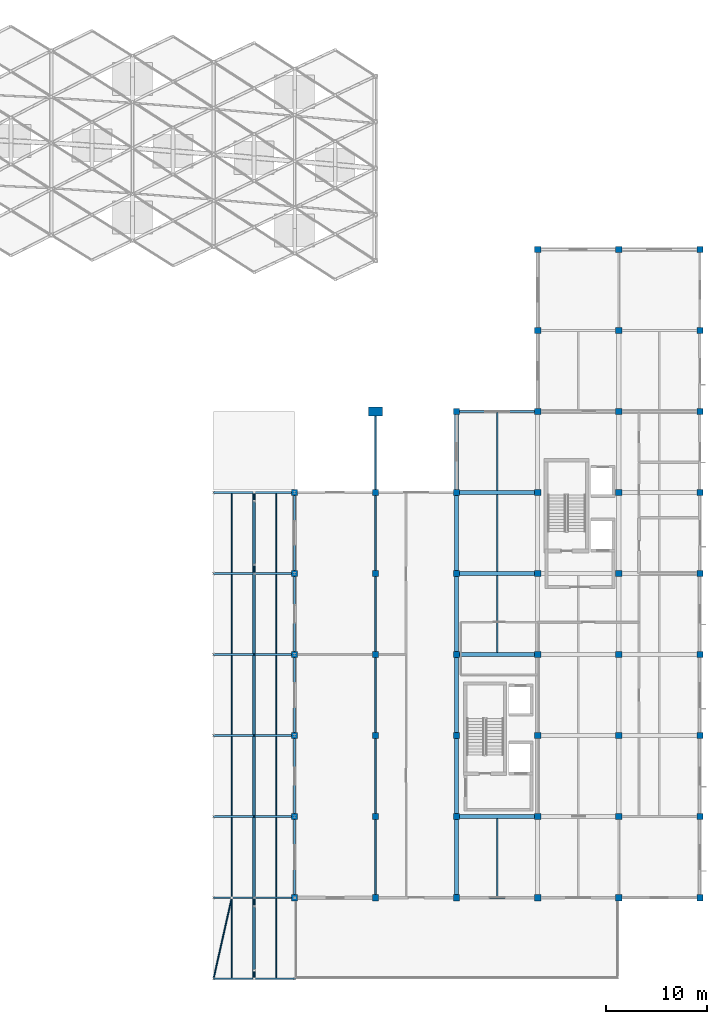
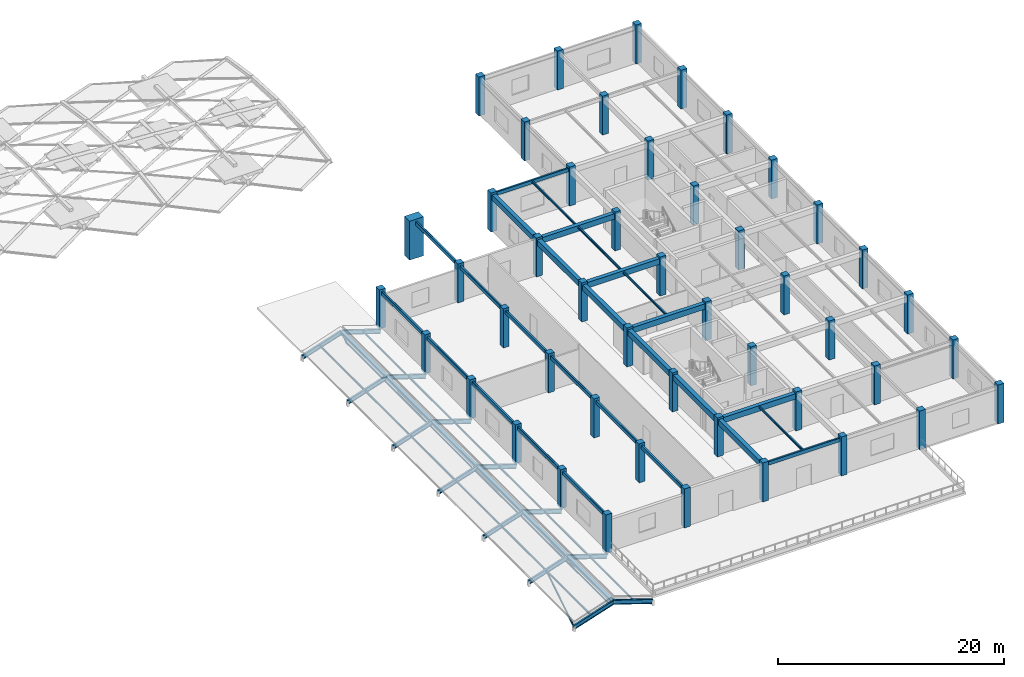
# One storey, part 1 of 27: 47 columns, 41 beams, 24 members.
"""IFC4 building model written with IfcOpenShell, lengths in metres."""

from ifc_helpers import new_model, si_unit, direction, frame, origin, origin_2d, place, context, subcontext, project, spatial, rectangle, hollow_rectangle, hollow_circle, i_section, extrude, material, material_profile, profile_set, type_object, element, save


model = new_model("IFC4")

# Units and contexts
model_context = context("Model", 3, precision=1e-05, world=origin(), true_north=direction((0.0, 1.0)))
body_context = subcontext(model_context, "Body", "Model", "MODEL_VIEW")
ifc_project = project(units=[si_unit("LENGTHUNIT", "METRE"), si_unit("AREAUNIT", "SQUARE_METRE"), si_unit("VOLUMEUNIT", "CUBIC_METRE"), si_unit("PLANEANGLEUNIT", "RADIAN"), si_unit("MASSUNIT", "GRAM", prefix="KILO")], contexts=[model_context])

# Site, building, storey
site_placement = place(None, origin())
site = spatial("IfcSite", under=ifc_project, at=site_placement, CompositionType="ELEMENT")
building_placement = place(site_placement, origin())
building = spatial("IfcBuilding", under=site, at=building_placement, Name="Kenh Van Central Station", CompositionType="ELEMENT")
storey_placement = place(building_placement, frame((0.0, 0.0, 19.199951171875)))
storey = spatial("IfcBuildingStorey", under=building, at=storey_placement, Name="L04", CompositionType="ELEMENT", Elevation=19.199951171875)

# Columns
ifc_material_1 = material(Name="Concrete C40/50", Category="concrete")
ifc_material_profile_1 = material_profile(ifc_material_1, rectangle(XDim=1.39990234375, YDim=0.89990234375, at=origin_2d()), Name="RC 1400x900")
ifc_profile_set_1 = profile_set([ifc_material_profile_1], Name="Concrete C40/50")
column_type_1 = type_object("IfcColumnType", Name="COL-PIER-1400x900", PredefinedType="COLUMN", material=ifc_profile_set_1)
column_placement = place(storey_placement, frame((144.0, 64.0, 0.0), z_axis=(0.0, 0.0, 1.0), x_axis=(1.0, 0.0, 0.0)))
element("IfcColumn", 1, at=column_placement, inside=storey, type_object=column_type_1, Name="L04 column VP-14-0", PredefinedType="COLUMN", context=body_context, shape_type="SweptSolid", body=[
    extrude(rectangle(XDim=1.39990234375, YDim=0.89990234375, at=origin_2d()), origin(), (0.0, 0.0, 1.0), 4.199951171875),
])
ifc_material_2 = material(Name="Concrete C35/45", Category="concrete")
ifc_material_profile_2 = material_profile(ifc_material_2, rectangle(XDim=0.60009765625, YDim=0.60009765625, at=origin_2d()), Name="RC 600x600")
ifc_profile_set_2 = profile_set([ifc_material_profile_2], Name="Concrete C35/45")
column_type_2 = type_object("IfcColumnType", Name="COL-RC-600x600", PredefinedType="COLUMN", material=ifc_profile_set_2)
for number, where, z_axis, x_axis, name in (
    (2, (136.0, 16.0, 0.0), (0.0, 0.0, 1.0), (1.0, 0.0, 0.0), "L04 column CE-1360-016"),
    (3, (136.0, 24.0, 0.0), (0.0, 0.0, 1.0), (1.0, 0.0, 0.0), "L04 column CE-1360-024"),
    (4, (136.0, 32.0, 0.0), (0.0, 0.0, 1.0), (1.0, 0.0, 0.0), "L04 column CE-1360-032"),
    (5, (136.0, 40.0, 0.0), (0.0, 0.0, 1.0), (1.0, 0.0, 0.0), "L04 column CE-1360-040"),
    (6, (136.0, 48.0, 0.0), (0.0, 0.0, 1.0), (1.0, 0.0, 0.0), "L04 column CE-1360-048"),
    (7, (136.0, 56.0, 0.0), (0.0, 0.0, 1.0), (1.0, 0.0, 0.0), "L04 column CE-1360-056"),
    (8, (144.0, 16.0, 0.0), (0.0, 0.0, 1.0), (1.0, 0.0, 0.0), "L04 column CE-1440-016"),
    (9, (144.0, 24.0, 0.0), (0.0, 0.0, 1.0), (1.0, 0.0, 0.0), "L04 column CE-1440-024"),
    (10, (144.0, 32.0, 0.0), (0.0, 0.0, 1.0), (1.0, 0.0, 0.0), "L04 column CE-1440-032"),
    (11, (144.0, 40.0, 0.0), (0.0, 0.0, 1.0), (1.0, 0.0, 0.0), "L04 column CE-1440-040"),
    (12, (144.0, 48.0, 0.0), (0.0, 0.0, 1.0), (1.0, 0.0, 0.0), "L04 column CE-1440-048"),
    (13, (144.0, 56.0, 0.0), (0.0, 0.0, 1.0), (1.0, 0.0, 0.0), "L04 column CE-1440-056"),
    (14, (152.0, 16.0, 0.0), (0.0, 0.0, 1.0), (1.0, 0.0, 0.0), "L04 column CE-1520-016"),
    (15, (152.0, 24.0, 0.0), (0.0, 0.0, 1.0), (1.0, 0.0, 0.0), "L04 column CE-1520-024"),
    (16, (152.0, 32.0, 0.0), (0.0, 0.0, 1.0), (1.0, 0.0, 0.0), "L04 column CE-1520-032"),
    (17, (152.0, 40.0, 0.0), (0.0, 0.0, 1.0), (1.0, 0.0, 0.0), "L04 column CE-1520-040"),
    (18, (152.0, 48.0, 0.0), (0.0, 0.0, 1.0), (1.0, 0.0, 0.0), "L04 column CE-1520-048"),
    (19, (152.0, 56.0, 0.0), (0.0, 0.0, 1.0), (1.0, 0.0, 0.0), "L04 column CE-1520-056"),
    (20, (152.0, 64.0, 0.0), (0.0, 0.0, 1.0), (1.0, 0.0, 0.0), "L04 column CE-1520-064"),
    (21, (160.0, 16.0, 0.0), (0.0, 0.0, 1.0), (1.0, 0.0, 0.0), "L04 column CE-1600-016"),
    (22, (160.0, 24.0, 0.0), (0.0, 0.0, 1.0), (1.0, 0.0, 0.0), "L04 column CE-1600-024"),
    (23, (160.0, 32.0, 0.0), (0.0, 0.0, 1.0), (1.0, 0.0, 0.0), "L04 column CE-1600-032"),
    (24, (160.0, 40.0, 0.0), (0.0, 0.0, 1.0), (1.0, 0.0, 0.0), "L04 column CE-1600-040"),
    (25, (160.0, 48.0, 0.0), (0.0, 0.0, 1.0), (1.0, 0.0, 0.0), "L04 column CE-1600-048"),
    (26, (160.0, 56.0, 0.0), (0.0, 0.0, 1.0), (1.0, 0.0, 0.0), "L04 column CE-1600-056"),
    (27, (160.0, 64.0, 0.0), (0.0, 0.0, 1.0), (1.0, 0.0, 0.0), "L04 column CE-1600-064"),
    (28, (168.0, 16.0, 0.0), (0.0, 0.0, 1.0), (1.0, 0.0, 0.0), "L04 column CE-1680-016"),
    (29, (168.0, 24.0, 0.0), (0.0, 0.0, 1.0), (1.0, 0.0, 0.0), "L04 column CE-1680-024"),
    (30, (168.0, 32.0, 0.0), (0.0, 0.0, 1.0), (1.0, 0.0, 0.0), "L04 column CE-1680-032"),
    (31, (168.0, 40.0, 0.0), (0.0, 0.0, 1.0), (1.0, 0.0, 0.0), "L04 column CE-1680-040"),
    (32, (168.0, 48.0, 0.0), (0.0, 0.0, 1.0), (1.0, 0.0, 0.0), "L04 column CE-1680-048"),
    (33, (168.0, 56.0, 0.0), (0.0, 0.0, 1.0), (1.0, 0.0, 0.0), "L04 column CE-1680-056"),
    (34, (168.0, 64.0, 0.0), (0.0, 0.0, 1.0), (1.0, 0.0, 0.0), "L04 column CE-1680-064"),
    (35, (176.0, 16.0, 0.0), (0.0, 0.0, 1.0), (1.0, 0.0, 0.0), "L04 column CE-1760-016"),
    (36, (176.0, 24.0, 0.0), (0.0, 0.0, 1.0), (1.0, 0.0, 0.0), "L04 column CE-1760-024"),
    (37, (176.0, 32.0, 0.0), (0.0, 0.0, 1.0), (1.0, 0.0, 0.0), "L04 column CE-1760-032"),
    (38, (176.0, 40.0, 0.0), (0.0, 0.0, 1.0), (1.0, 0.0, 0.0), "L04 column CE-1760-040"),
    (39, (176.0, 48.0, 0.0), (0.0, 0.0, 1.0), (1.0, 0.0, 0.0), "L04 column CE-1760-048"),
    (40, (176.0, 56.0, 0.0), (0.0, 0.0, 1.0), (1.0, 0.0, 0.0), "L04 column CE-1760-056"),
    (41, (176.0, 64.0, 0.0), (0.0, 0.0, 1.0), (1.0, 0.0, 0.0), "L04 column CE-1760-064"),
    (42, (160.0, 72.0, 0.0), (0.0, 0.0, 1.0), (1.0, 0.0, 0.0), "L04 column CN-1600-072"),
    (43, (160.0, 80.0, 0.0), (0.0, 0.0, 1.0), (1.0, 0.0, 0.0), "L04 column CN-1600-080"),
    (44, (168.0, 72.0, 0.0), (0.0, 0.0, 1.0), (1.0, 0.0, 0.0), "L04 column CN-1680-072"),
    (45, (168.0, 80.0, 0.0), (0.0, 0.0, 1.0), (1.0, 0.0, 0.0), "L04 column CN-1680-080"),
    (46, (176.0, 72.0, 0.0), (0.0, 0.0, 1.0), (1.0, 0.0, 0.0), "L04 column CN-1760-072"),
    (47, (176.0, 80.0, 0.0), (0.0, 0.0, 1.0), (1.0, 0.0, 0.0), "L04 column CN-1760-080"),
):
    element("IfcColumn", number, at=place(storey_placement, frame(where, z_axis=z_axis, x_axis=x_axis)), inside=storey, type_object=column_type_2, Name=name, PredefinedType="COLUMN", context=body_context, shape_type="SweptSolid", body=[
        extrude(rectangle(XDim=0.60009765625, YDim=0.60009765625, at=origin_2d()), origin(), (0.0, 0.0, 1.0), 4.199951171875),
    ])

# Beams
ifc_material_profile_3 = material_profile(ifc_material_2, rectangle(XDim=0.39990234375, YDim=0.60009765625, at=origin_2d()), Name="RC 400x600")
ifc_profile_set_3 = profile_set([ifc_material_profile_3], Name="Concrete C35/45")
beam_type_1 = type_object("IfcBeamType", Name="BM-RC-400x600", PredefinedType="BEAM", material=ifc_profile_set_3)
for number, where, z_axis, x_axis, name in (
    (48, (152.2900390625, 24.0, 3.670166015625), (1.0, 0.0, 0.0), (0.0, 1.0, 0.0), "L04 beam 1198"),
    (49, (152.2900390625, 40.0, 3.670166015625), (1.0, 0.0, 0.0), (0.0, 1.0, 0.0), "L04 beam 1203"),
    (50, (152.2900390625, 48.0, 3.670166015625), (1.0, 0.0, 0.0), (0.0, 1.0, 0.0), "L04 beam 1206"),
    (51, (152.2900390625, 56.0, 3.670166015625), (1.0, 0.0, 0.0), (0.0, 1.0, 0.0), "L04 beam 1209"),
    (52, (152.0, 16.2900390625, 3.68505859375), (0.0, 1.0, 0.0), (-1.0, 0.0, 0.0), "L04 beam 1229"),
    (53, (152.0, 24.2900390625, 3.670166015625), (0.0, 1.0, 0.0), (-1.0, 0.0, 0.0), "L04 beam 1230"),
    (54, (152.0, 32.2900390625, 3.670166015625), (0.0, 1.0, 0.0), (-1.0, 0.0, 0.0), "L04 beam 1231"),
    (55, (152.0, 40.2900390625, 3.670166015625), (0.0, 1.0, 0.0), (-1.0, 0.0, 0.0), "L04 beam 1232"),
    (56, (152.0, 48.2900390625, 3.670166015625), (0.0, 1.0, 0.0), (-1.0, 0.0, 0.0), "L04 beam 1233"),
    (57, (152.0, 56.2900390625, 3.670166015625), (0.0, 1.0, 0.0), (-1.0, 0.0, 0.0), "L04 beam 1234"),
):
    element("IfcBeam", number, at=place(storey_placement, frame(where, z_axis=z_axis, x_axis=x_axis)), inside=storey, type_object=beam_type_1, Name=name, PredefinedType="BEAM", context=body_context, shape_type="SweptSolid", body=[
        extrude(rectangle(XDim=0.39990234375, YDim=0.60009765625, at=origin_2d()), origin(), (0.0, 0.0, 1.0), 7.419921875),
    ])
ifc_material_3 = material(Name="Steel S355", Category="steel")
ifc_material_profile_4 = material_profile(ifc_material_3, i_section(OverallWidth=0.18994140625, OverallDepth=0.449951171875, WebThickness=0.009521484375, FlangeThickness=0.0146484375, FilletRadius=0.02099609375, at=origin_2d()), Name="IPE 450")
ifc_profile_set_4 = profile_set([ifc_material_profile_4], Name="Steel S355")
beam_type_2 = type_object("IfcBeamType", Name="BM-STL-IPE450", PredefinedType="BEAM", material=ifc_profile_set_4)
for number, where, z_axis, x_axis, name in (
    (58, (128.0, 8.0, -0.503173828125), (0.951047718282, 0.0, 0.309044070565), (0.0, 1.0, 0.0), "L04 roof rafter 169"),
    (59, (132.0, 8.0, 0.796630859375), (0.951047718282, 0.0, -0.309044070565), (0.0, 1.0, 0.0), "L04 roof rafter 170"),
    (60, (128.0, 16.0, -0.503173828125), (0.951047718282, 0.0, 0.309044070565), (0.0, 1.0, 0.0), "L04 roof rafter 171"),
    (61, (132.0, 16.0, 0.796630859375), (0.951047718282, 0.0, -0.309044070565), (0.0, 1.0, 0.0), "L04 roof rafter 172"),
    (62, (128.0, 24.0, -0.503173828125), (0.951047718282, 0.0, 0.309044070565), (0.0, 1.0, 0.0), "L04 roof rafter 173"),
    (63, (132.0, 24.0, 0.796630859375), (0.951047718282, 0.0, -0.309044070565), (0.0, 1.0, 0.0), "L04 roof rafter 174"),
    (64, (128.0, 32.0, -0.503173828125), (0.951047718282, 0.0, 0.309044070565), (0.0, 1.0, 0.0), "L04 roof rafter 175"),
    (65, (132.0, 32.0, 0.796630859375), (0.951047718282, 0.0, -0.309044070565), (0.0, 1.0, 0.0), "L04 roof rafter 176"),
    (66, (128.0, 40.0, -0.503173828125), (0.951047718282, 0.0, 0.309044070565), (0.0, 1.0, 0.0), "L04 roof rafter 177"),
    (67, (132.0, 40.0, 0.796630859375), (0.951047718282, 0.0, -0.309044070565), (0.0, 1.0, 0.0), "L04 roof rafter 178"),
    (68, (128.0, 48.0, -0.503173828125), (0.951047718282, 0.0, 0.309044070565), (0.0, 1.0, 0.0), "L04 roof rafter 179"),
    (69, (132.0, 48.0, 0.796630859375), (0.951047718282, 0.0, -0.309044070565), (0.0, 1.0, 0.0), "L04 roof rafter 180"),
    (70, (128.0, 56.0, -0.503173828125), (0.951047718282, 0.0, 0.309044070565), (0.0, 1.0, 0.0), "L04 roof rafter 181"),
    (71, (132.0, 56.0, 0.796630859375), (0.951047718282, 0.0, -0.309044070565), (0.0, 1.0, 0.0), "L04 roof rafter 182"),
):
    element("IfcBeam", number, at=place(storey_placement, frame(where, z_axis=z_axis, x_axis=x_axis)), inside=storey, type_object=beam_type_2, Name=name, PredefinedType="BEAM", context=body_context, shape_type="SweptSolid", body=[
        extrude(i_section(OverallWidth=0.18994140625, OverallDepth=0.449951171875, WebThickness=0.009521484375, FlangeThickness=0.0146484375, FilletRadius=0.02099609375, at=origin_2d()), origin(), (0.0, 0.0, 1.0), 4.205810546875),
    ])
ifc_material_profile_5 = material_profile(ifc_material_3, i_section(OverallWidth=0.1201171875, OverallDepth=0.239990234375, WebThickness=0.006103515625, FlangeThickness=0.009765625, FilletRadius=0.014892578125, at=origin_2d()), Name="IPE 240")
ifc_profile_set_5 = profile_set([ifc_material_profile_5], Name="Steel S355")
beam_type_3 = type_object("IfcBeamType", Name="JST-STL-IPE240", PredefinedType="JOIST", material=ifc_profile_set_5)
beam_1_placement = place(storey_placement, frame((156.0, 16.10009765625, 3.864990234375), z_axis=(0.0, 1.0, 0.0), x_axis=(-1.0, 0.0, 0.0)))
element("IfcBeam", 72, at=beam_1_placement, inside=storey, type_object=beam_type_3, Name="L04 floor joist 1259", PredefinedType="JOIST", context=body_context, shape_type="SweptSolid", body=[
    extrude(i_section(OverallWidth=0.1201171875, OverallDepth=0.239990234375, WebThickness=0.006103515625, FlangeThickness=0.009765625, FilletRadius=0.014892578125, at=origin_2d()), origin(), (0.0, 0.0, 1.0), 7.699951171875),
])
for number, where, z_axis, x_axis, name in (
    (73, (156.0, 40.199951171875, 3.85009765625), (0.0, 1.0, 0.0), (-1.0, 0.0, 0.0), "L04 floor joist 1260"),
    (74, (156.0, 48.199951171875, 3.85009765625), (0.0, 1.0, 0.0), (-1.0, 0.0, 0.0), "L04 floor joist 1261"),
):
    element("IfcBeam", number, at=place(storey_placement, frame(where, z_axis=z_axis, x_axis=x_axis)), inside=storey, type_object=beam_type_3, Name=name, PredefinedType="JOIST", context=body_context, shape_type="SweptSolid", body=[
        extrude(i_section(OverallWidth=0.1201171875, OverallDepth=0.239990234375, WebThickness=0.006103515625, FlangeThickness=0.009765625, FilletRadius=0.014892578125, at=origin_2d()), origin(), (0.0, 0.0, 1.0), 7.60009765625),
    ])
beam_2_placement = place(storey_placement, frame((156.0, 56.199951171875, 3.85009765625), z_axis=(0.0, 1.0, 0.0), x_axis=(-1.0, 0.0, 0.0)))
element("IfcBeam", 75, at=beam_2_placement, inside=storey, type_object=beam_type_3, Name="L04 floor joist 1262", PredefinedType="JOIST", context=body_context, shape_type="SweptSolid", body=[
    extrude(i_section(OverallWidth=0.1201171875, OverallDepth=0.239990234375, WebThickness=0.006103515625, FlangeThickness=0.009765625, FilletRadius=0.014892578125, at=origin_2d()), origin(), (0.0, 0.0, 1.0), 7.699951171875),
])

# Members
ifc_material_profile_6 = material_profile(ifc_material_3, i_section(OverallWidth=0.10009765625, OverallDepth=0.199951171875, WebThickness=0.005615234375, FlangeThickness=0.008544921875, FilletRadius=0.011962890625, at=origin_2d()), Name="IPE 200")
ifc_profile_set_6 = profile_set([ifc_material_profile_6], Name="Steel S355")
member_type_1 = type_object("IfcMemberType", Name="MEM-PUR-IPE200", PredefinedType="PURLIN", material=ifc_profile_set_6)
for number, where, z_axis, x_axis, name in (
    (76, (129.800048828125, 8.0, 0.081787109375), (0.0, 1.0, 0.0), (-1.0, 0.0, 0.0), "L04 roof purlin 077"),
    (77, (129.800048828125, 16.0, 0.081787109375), (0.0, 1.0, 0.0), (-1.0, 0.0, 0.0), "L04 roof purlin 078"),
    (78, (129.800048828125, 24.0, 0.081787109375), (0.0, 1.0, 0.0), (-1.0, 0.0, 0.0), "L04 roof purlin 079"),
    (79, (129.800048828125, 32.0, 0.081787109375), (0.0, 1.0, 0.0), (-1.0, 0.0, 0.0), "L04 roof purlin 080"),
    (80, (129.800048828125, 40.0, 0.081787109375), (0.0, 1.0, 0.0), (-1.0, 0.0, 0.0), "L04 roof purlin 081"),
    (81, (129.800048828125, 48.0, 0.081787109375), (0.0, 1.0, 0.0), (-1.0, 0.0, 0.0), "L04 roof purlin 082"),
    (82, (134.199951171875, 8.0, 0.081787109375), (0.0, 1.0, 0.0), (-1.0, 0.0, 0.0), "L04 roof purlin 083"),
    (83, (134.199951171875, 16.0, 0.081787109375), (0.0, 1.0, 0.0), (-1.0, 0.0, 0.0), "L04 roof purlin 084"),
    (84, (134.199951171875, 24.0, 0.081787109375), (0.0, 1.0, 0.0), (-1.0, 0.0, 0.0), "L04 roof purlin 085"),
    (85, (134.199951171875, 32.0, 0.081787109375), (0.0, 1.0, 0.0), (-1.0, 0.0, 0.0), "L04 roof purlin 086"),
    (86, (134.199951171875, 40.0, 0.081787109375), (0.0, 1.0, 0.0), (-1.0, 0.0, 0.0), "L04 roof purlin 087"),
    (87, (134.199951171875, 48.0, 0.081787109375), (0.0, 1.0, 0.0), (-1.0, 0.0, 0.0), "L04 roof purlin 088"),
):
    element("IfcMember", number, at=place(storey_placement, frame(where, z_axis=z_axis, x_axis=x_axis)), inside=storey, type_object=member_type_1, Name=name, PredefinedType="PURLIN", context=body_context, shape_type="SweptSolid", body=[
        extrude(i_section(OverallWidth=0.10009765625, OverallDepth=0.199951171875, WebThickness=0.005615234375, FlangeThickness=0.008544921875, FilletRadius=0.011962890625, at=origin_2d()), origin(), (0.0, 0.0, 1.0), 8.0),
    ])
ifc_material_profile_7 = material_profile(ifc_material_3, hollow_circle(Radius=0.084228515625, WallThickness=0.008056640625, at=origin_2d()), Name="CHS 168.3x8")
ifc_profile_set_7 = profile_set([ifc_material_profile_7], Name="Steel S355")
member_type_2 = type_object("IfcMemberType", Name="MEM-ROOF-BRC168", PredefinedType="BRACE", material=ifc_profile_set_7)
member_1_placement = place(storey_placement, frame((128.0, 8.0, -0.503173828125), z_axis=(0.218961432174, 0.973135522782, 0.071155783465), x_axis=(-0.975608480846, 0.219517862832, 0.0)))
element("IfcMember", 88, at=member_1_placement, inside=storey, type_object=member_type_2, Name="L04 roof wind brace 053", PredefinedType="BRACE", context=body_context, shape_type="SweptSolid", body=[
    extrude(hollow_circle(Radius=0.084228515625, WallThickness=0.008056640625, at=origin_2d()), origin(), (0.0, 0.0, 1.0), 8.220947265625),
])
member_2_placement = place(storey_placement, frame((132.0, 8.85009765625, 0.1767578125), z_axis=(0.0, 1.0, 0.0), x_axis=(-1.0, 0.0, 0.0)))
element("IfcMember", 89, at=member_2_placement, inside=storey, type_object=member_type_2, Name="L04 roof truss lower chord 054", PredefinedType="BRACE", context=body_context, shape_type="SweptSolid", body=[
    extrude(hollow_circle(Radius=0.084228515625, WallThickness=0.008056640625, at=origin_2d()), origin(), (0.0, 0.0, 1.0), 46.2998046875),
])
for number, where, z_axis, x_axis, name in (
    (90, (132.0, 8.85009765625, 0.1767578125), (0.0, -0.808002927302, 0.589178469966), (1.0, 0.0, 0.0), "L04 roof truss web diagonal 055"),
    (91, (132.0, 15.14990234375, 0.1767578125), (0.0, 0.808002927302, 0.589178469966), (-1.0, 0.0, 0.0), "L04 roof truss web diagonal 056"),
    (92, (132.0, 48.85009765625, 0.1767578125), (0.0, -0.808002927302, 0.589178469966), (1.0, 0.0, 0.0), "L04 roof truss web diagonal 057"),
    (93, (132.0, 55.14990234375, 0.1767578125), (0.0, 0.808002927302, 0.589178469966), (-1.0, 0.0, 0.0), "L04 roof truss web diagonal 058"),
):
    element("IfcMember", number, at=place(storey_placement, frame(where, z_axis=z_axis, x_axis=x_axis)), inside=storey, type_object=member_type_2, Name=name, PredefinedType="BRACE", context=body_context, shape_type="SweptSolid", body=[
        extrude(hollow_circle(Radius=0.084228515625, WallThickness=0.008056640625, at=origin_2d()), origin(), (0.0, 0.0, 1.0), 1.052001953125),
    ])
ifc_material_profile_8 = material_profile(ifc_material_3, i_section(OverallWidth=0.300048828125, OverallDepth=0.35009765625, WebThickness=0.010009765625, FlangeThickness=0.017578125, FilletRadius=0.027099609375, at=origin_2d()), Name="HEA 360")
ifc_profile_set_8 = profile_set([ifc_material_profile_8], Name="Steel S355")
member_type_3 = type_object("IfcMemberType", Name="MEM-ROOF-HEA360", PredefinedType="CHORD", material=ifc_profile_set_8)
for number, where, z_axis, x_axis, name in (
    (94, (132.0, 8.0, 0.796630859375), (0.0, 1.0, 0.0), (-1.0, 0.0, 0.0), "L04 roof ridge chord 163"),
    (95, (132.0, 16.0, 0.796630859375), (0.0, 1.0, 0.0), (-1.0, 0.0, 0.0), "L04 roof ridge chord 164"),
    (96, (132.0, 24.0, 0.796630859375), (0.0, 1.0, 0.0), (-1.0, 0.0, 0.0), "L04 roof ridge chord 165"),
    (97, (132.0, 32.0, 0.796630859375), (0.0, 1.0, 0.0), (-1.0, 0.0, 0.0), "L04 roof ridge chord 166"),
    (98, (132.0, 40.0, 0.796630859375), (0.0, 1.0, 0.0), (-1.0, 0.0, 0.0), "L04 roof ridge chord 167"),
    (99, (132.0, 48.0, 0.796630859375), (0.0, 1.0, 0.0), (-1.0, 0.0, 0.0), "L04 roof ridge chord 168"),
):
    element("IfcMember", number, at=place(storey_placement, frame(where, z_axis=z_axis, x_axis=x_axis)), inside=storey, type_object=member_type_3, Name=name, PredefinedType="CHORD", context=body_context, shape_type="SweptSolid", body=[
        extrude(i_section(OverallWidth=0.300048828125, OverallDepth=0.35009765625, WebThickness=0.010009765625, FlangeThickness=0.017578125, FilletRadius=0.027099609375, at=origin_2d()), origin(), (0.0, 0.0, 1.0), 8.0),
    ])

# Beams
ifc_material_profile_9 = material_profile(ifc_material_3, hollow_rectangle(XDim=0.199951171875, YDim=0.39990234375, WallThickness=0.012451171875, InnerFilletRadius=0.012451171875, OuterFilletRadius=0.02490234375, at=origin_2d()), Name="RHS 400x200x12.5")
ifc_profile_set_9 = profile_set([ifc_material_profile_9], Name="Steel S355")
beam_type_4 = type_object("IfcBeamType", Name="SPD-STL-RHS400", PredefinedType="SPANDREL", material=ifc_profile_set_9)
for number, where, z_axis, x_axis, name in (
    (100, (152.2900390625, 16.0, 3.78515625), (1.0, 0.0, 0.0), (0.0, 1.0, 0.0), "L04 beam 1195"),
    (101, (152.2900390625, 64.0, 3.77001953125), (1.0, 0.0, 0.0), (0.0, 1.0, 0.0), "L04 beam 1211"),
    (102, (136.0, 16.2900390625, 3.780029296875), (0.0, 1.0, 0.0), (-1.0, 0.0, 0.0), "L04 beam 1218"),
    (103, (136.0, 24.2900390625, 3.780029296875), (0.0, 1.0, 0.0), (-1.0, 0.0, 0.0), "L04 beam 1219"),
    (104, (136.0, 32.2900390625, 3.780029296875), (0.0, 1.0, 0.0), (-1.0, 0.0, 0.0), "L04 beam 1220"),
    (105, (136.0, 40.2900390625, 3.780029296875), (0.0, 1.0, 0.0), (-1.0, 0.0, 0.0), "L04 beam 1221"),
    (106, (136.0, 48.2900390625, 3.780029296875), (0.0, 1.0, 0.0), (-1.0, 0.0, 0.0), "L04 beam 1222"),
    (107, (144.0, 16.2900390625, 3.78515625), (0.0, 1.0, 0.0), (-1.0, 0.0, 0.0), "L04 beam 1223"),
    (108, (144.0, 24.2900390625, 3.77001953125), (0.0, 1.0, 0.0), (-1.0, 0.0, 0.0), "L04 beam 1224"),
    (109, (144.0, 32.2900390625, 3.77001953125), (0.0, 1.0, 0.0), (-1.0, 0.0, 0.0), "L04 beam 1225"),
    (110, (144.0, 40.2900390625, 3.77001953125), (0.0, 1.0, 0.0), (-1.0, 0.0, 0.0), "L04 beam 1226"),
    (111, (144.0, 48.2900390625, 3.77001953125), (0.0, 1.0, 0.0), (-1.0, 0.0, 0.0), "L04 beam 1227"),
):
    element("IfcBeam", number, at=place(storey_placement, frame(where, z_axis=z_axis, x_axis=x_axis)), inside=storey, type_object=beam_type_4, Name=name, PredefinedType="SPANDREL", context=body_context, shape_type="SweptSolid", body=[
        extrude(hollow_rectangle(XDim=0.199951171875, YDim=0.39990234375, WallThickness=0.012451171875, InnerFilletRadius=0.012451171875, OuterFilletRadius=0.02490234375, at=origin_2d()), origin(), (0.0, 0.0, 1.0), 7.419921875),
    ])
beam_3_placement = place(storey_placement, frame((144.0, 56.2900390625, 3.77001953125), z_axis=(0.0, 1.0, 0.0), x_axis=(-1.0, 0.0, 0.0)))
element("IfcBeam", 112, at=beam_3_placement, inside=storey, type_object=beam_type_4, Name="L04 beam 1228", PredefinedType="SPANDREL", context=body_context, shape_type="SweptSolid", body=[
    extrude(hollow_rectangle(XDim=0.199951171875, YDim=0.39990234375, WallThickness=0.012451171875, InnerFilletRadius=0.012451171875, OuterFilletRadius=0.02490234375, at=origin_2d()), origin(), (0.0, 0.0, 1.0), 7.27001953125),
])

save(model, "model.ifc")
